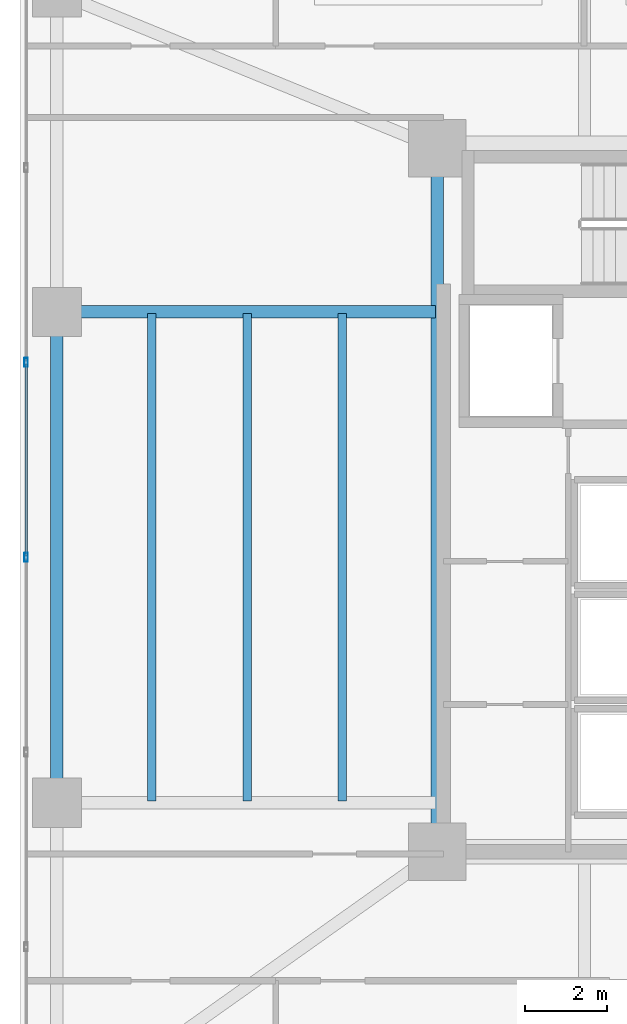
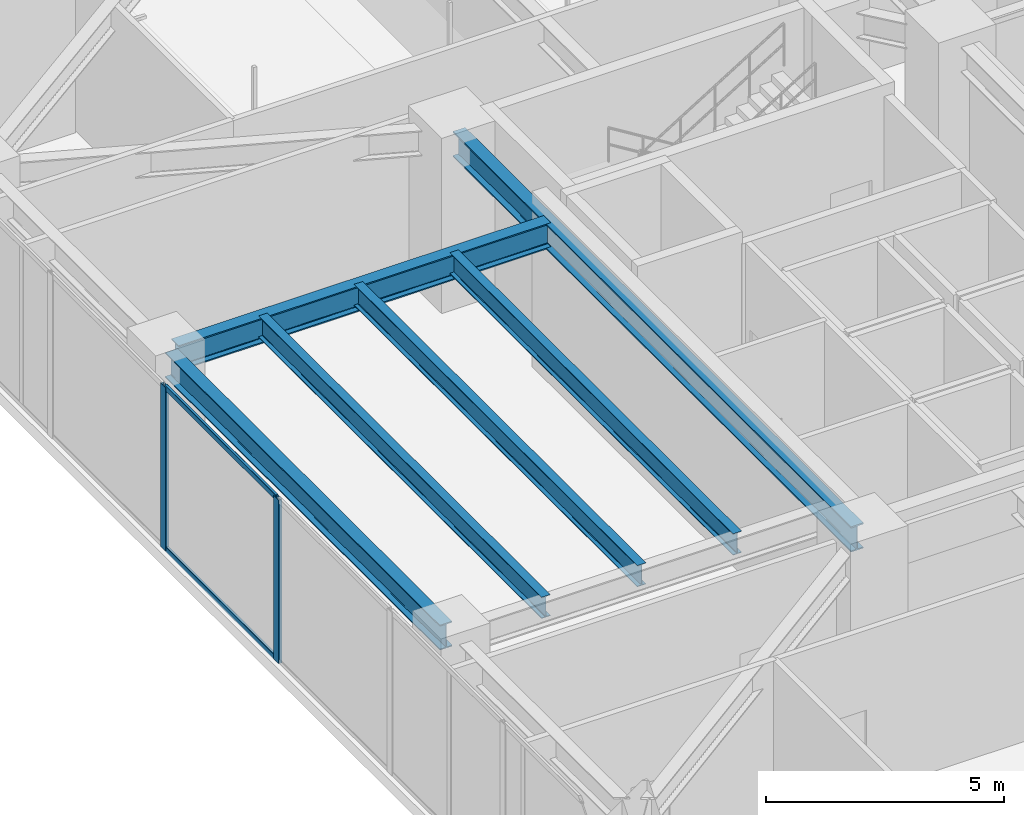
# One storey, part 7 of 39: 6 beams, 4 members, 1 element without a shape of its own.
"""IFC4 building model written with IfcOpenShell, lengths in metres."""

import ifcopenshell
import ifcopenshell.guid

model = None  # the IFC model being written
_history = None  # IfcOwnerHistory: only IFC2X3 demands one
_inside = {}  # id of a spatial element -> (the spatial element, [elements in it])
_under = {}  # id of a project, library or spatial element -> (it, [spatial elements below it])
_declared = {}  # id of a project -> (the project, [libraries it declares])
_typed = {}  # id of a type object -> (the type object, [elements of that type])
_made_of = {}  # id of a material, layer set ... -> (it, [elements and type objects made of it])


def new_model(schema):
    """Start an empty IFC model of exactly this schema.

    Asked for "IFC4X3", IfcOpenShell would pick the latest addendum, in which some entities
    have other attributes; the version numbers below select the first issue.
    IFC2X3 requires an IfcOwnerHistory on every rooted entity: one is made here for all.
    """
    global model, _history
    if schema == "IFC4X3":
        model = ifcopenshell.file(schema_version=(4, 3, 0, 0))
    else:
        model = ifcopenshell.file(schema=schema)
    _inside.clear()
    _under.clear()
    _declared.clear()
    _typed.clear()
    _made_of.clear()
    _history = None
    if model.schema == "IFC2X3":
        org = make("IfcOrganization", Name="unknown")
        user = make(
            "IfcPersonAndOrganization",
            ThePerson=make("IfcPerson", FamilyName="unknown"),
            TheOrganization=org,
        )
        app = make(
            "IfcApplication",
            ApplicationDeveloper=org,
            Version="unknown",
            ApplicationFullName="unknown",
            ApplicationIdentifier="unknown",
        )
        _history = make(
            "IfcOwnerHistory",
            OwningUser=user,
            OwningApplication=app,
            ChangeAction="ADDED",
            CreationDate=0,
        )
    return model


def make(cls, **values):
    """One entity of the class cls with the attributes given. An attribute that is None is left unset."""
    return model.create_entity(
        cls, **{name: value for name, value in values.items() if value is not None}
    )


def rooted(cls, **values):
    """An entity with a GlobalId (a new one), such as an element, a storey or a relation."""
    return make(cls, GlobalId=ifcopenshell.guid.new(), OwnerHistory=_history, **values)


def si_unit(unit_type, name, prefix=None):
    """IfcSIUnit, for example si_unit("LENGTHUNIT", "METRE", prefix="MILLI")."""
    return make("IfcSIUnit", UnitType=unit_type, Prefix=prefix, Name=name)


def assignment(units):
    """IfcUnitAssignment: the units of a project."""
    return None if units is None else make("IfcUnitAssignment", Units=units)


def point(xyz):
    """IfcCartesianPoint."""
    return None if xyz is None else make("IfcCartesianPoint", Coordinates=xyz)


def direction(xyz):
    """IfcDirection."""
    return None if xyz is None else make("IfcDirection", DirectionRatios=xyz)


def frame(location, z_axis=None, x_axis=None):
    """IfcAxis2Placement3D, a coordinate frame: its origin and axes. An axis left out is left unset."""
    return make(
        "IfcAxis2Placement3D",
        Location=point(location),
        Axis=direction(z_axis),
        RefDirection=direction(x_axis),
    )


def frame_2d(location, x_axis=None):
    """IfcAxis2Placement2D, a coordinate frame in the plane: its origin and x axis."""
    return make(
        "IfcAxis2Placement2D", Location=point(location), RefDirection=direction(x_axis)
    )


def origin():
    """The frame at (0, 0, 0) with its axes left unset."""
    return frame((0.0, 0.0, 0.0))


def origin_2d():
    """The frame at (0, 0) in the plane with its x axis left unset."""
    return frame_2d((0.0, 0.0))


def place(relative_to, where):
    """IfcLocalPlacement: puts the frame where relative to a parent placement (None: the world)."""
    return make(
        "IfcLocalPlacement", PlacementRelTo=relative_to, RelativePlacement=where
    )


def context(
    kind, dimensions, precision=None, world=None, true_north=None, identifier=None
):
    """IfcGeometricRepresentationContext, for example the 3D "Model" context."""
    return make(
        "IfcGeometricRepresentationContext",
        ContextIdentifier=identifier,
        ContextType=kind,
        CoordinateSpaceDimension=dimensions,
        Precision=precision,
        WorldCoordinateSystem=world,
        TrueNorth=true_north,
    )


def subcontext(parent, identifier, kind, view, scale=None):
    """IfcGeometricRepresentationSubContext, for example "Body" below "Model"."""
    return make(
        "IfcGeometricRepresentationSubContext",
        ContextIdentifier=identifier,
        ContextType=kind,
        ParentContext=parent,
        TargetScale=scale,
        TargetView=view,
    )


def project(units=None, contexts=None):
    """IfcProject with its units and contexts."""
    return rooted(
        "IfcProject",
        Name="project",
        RepresentationContexts=contexts,
        UnitsInContext=assignment(units),
    )


def spatial(cls, under=None, at=None, **own):
    """A site, building, storey or space (cls), placed at a placement, below another one or the project."""
    s = rooted(cls, ObjectPlacement=at, **own)
    if under is not None:
        _under.setdefault(under.id(), (under, []))[1].append(s)
    return s


def profile(cls, at=None, kind="AREA", **sizes):
    """A parametric profile (cls). Its sizes go by their IFC names, for example OverallWidth=200.0."""
    return make(cls, ProfileType=kind, Position=at, **sizes)


def hollow_rectangle(**sizes):
    """IfcRectangleHollowProfileDef."""
    return profile("IfcRectangleHollowProfileDef", **sizes)


def i_section(**sizes):
    """IfcIShapeProfileDef."""
    return profile("IfcIShapeProfileDef", **sizes)


def extrude(swept, where, along, depth):
    """IfcExtrudedAreaSolid: the profile swept, set in the frame where, extruded along a direction by depth."""
    return make(
        "IfcExtrudedAreaSolid",
        SweptArea=swept,
        Position=where,
        ExtrudedDirection=direction(along),
        Depth=depth,
    )


def shape(context_of_items, identifier, shape_type, items):
    """IfcShapeRepresentation: the items that make up one representation, for example the "Body"."""
    return make(
        "IfcShapeRepresentation",
        ContextOfItems=context_of_items,
        RepresentationIdentifier=identifier,
        RepresentationType=shape_type,
        Items=items,
    )


def material(Name=None, Category=None):
    """IfcMaterial."""
    return make("IfcMaterial", Name=Name, Category=Category)


def layer(
    of_material, thickness, ventilated=None, Name=None, Category=None, Priority=None
):
    """IfcMaterialLayer: one layer of a wall or slab, of a material (None: an air gap)."""
    return make(
        "IfcMaterialLayer",
        Material=of_material,
        LayerThickness=thickness,
        IsVentilated=ventilated,
        Name=Name,
        Category=Category,
        Priority=Priority,
    )


def layer_set(layers, Name=None):
    """IfcMaterialLayerSet."""
    return make("IfcMaterialLayerSet", MaterialLayers=layers, LayerSetName=Name)


def material_profile(
    of_material, cross_section, Name=None, Category=None, Priority=None
):
    """IfcMaterialProfile: a cross section and its material."""
    return make(
        "IfcMaterialProfile",
        Name=Name,
        Material=of_material,
        Profile=cross_section,
        Priority=Priority,
        Category=Category,
    )


def profile_set(profiles, Name=None, composite=None):
    """IfcMaterialProfileSet."""
    return make(
        "IfcMaterialProfileSet",
        Name=Name,
        MaterialProfiles=profiles,
        CompositeProfile=composite,
    )


def made_of(thing, what):
    """Note that an element or type object is made of a material, layer set ...; save() writes the relation."""
    if what is not None:
        _made_of.setdefault(what.id(), (what, []))[1].append(thing)
    return thing


def type_object(cls, material=None, **own):
    """A type object (cls), such as IfcWallType, which elements share."""
    return made_of(rooted(cls, **own), material)


def element(
    cls,
    number,
    at=None,
    inside=None,
    cuts=None,
    type_object=None,
    material=None,
    context=None,
    identifier="Body",
    shape_type=None,
    held_by="IfcProductDefinitionShape",
    body=None,
    shapes=None,
    **own,
):
    """One element of the class cls, such as IfcWall. Its Tag is "e" and its number.

    at: its placement. inside: the storey or other place that contains it. cuts: it is an
    opening in that element (IfcRelVoidsElement). A single representation is given by context,
    identifier, shape_type and body (its items); several are given by shapes. held_by: the class
    of the entity that holds the representations. save() writes the other relations.
    """
    e = rooted(cls, Tag="e%d" % number, ObjectPlacement=at, **own)
    if body is not None:
        shapes = [shape(context, identifier, shape_type, body)]
    if shapes is not None:
        e.Representation = make(held_by, Representations=shapes)
    if inside is not None:
        _inside.setdefault(inside.id(), (inside, []))[1].append(e)
    if cuts is not None:
        rooted(
            "IfcRelVoidsElement", RelatingBuildingElement=cuts, RelatedOpeningElement=e
        )
    if type_object is not None:
        _typed.setdefault(type_object.id(), (type_object, []))[1].append(e)
    return made_of(e, material)


def aggregate(whole, parts):
    """IfcRelAggregates: a whole, such as a stair, and the parts it consists of."""
    return rooted("IfcRelAggregates", RelatingObject=whole, RelatedObjects=parts)


def save(model, path):
    """Write the relations noted so far, then the file.

    IfcRelAggregates (storeys below a building ...), IfcRelContainedInSpatialStructure (elements
    in a storey), IfcRelDefinesByType, IfcRelAssociatesMaterial and IfcRelDeclares: one each for
    every whole, place, type object, material and project.
    """
    for whole, parts in _under.values():
        aggregate(whole, parts)
    for where, things in _inside.values():
        rooted(
            "IfcRelContainedInSpatialStructure",
            RelatedElements=things,
            RelatingStructure=where,
        )
    for kind, things in _typed.values():
        rooted("IfcRelDefinesByType", RelatedObjects=things, RelatingType=kind)
    for what, things in _made_of.values():
        rooted("IfcRelAssociatesMaterial", RelatedObjects=things, RelatingMaterial=what)
    for by, libraries in _declared.values():
        rooted("IfcRelDeclares", RelatingContext=by, RelatedDefinitions=libraries)
    model.write(path)


model = new_model("IFC4")

# Units and contexts
model_context = context("Model", 3, precision=1e-05, world=origin(), true_north=direction((0.0, 1.0)))
body_context = subcontext(model_context, "Body", "Model", "MODEL_VIEW")
ifc_project = project(units=[si_unit("LENGTHUNIT", "METRE"), si_unit("AREAUNIT", "SQUARE_METRE"), si_unit("VOLUMEUNIT", "CUBIC_METRE"), si_unit("PLANEANGLEUNIT", "RADIAN"), si_unit("MASSUNIT", "GRAM", prefix="KILO")], contexts=[model_context])

# Site, building, storey
site_placement = place(None, origin())
site = spatial("IfcSite", under=ifc_project, at=site_placement, CompositionType="ELEMENT")
building_placement = place(site_placement, origin())
building = spatial("IfcBuilding", under=site, at=building_placement, Name="Tarnavaz Court Tower", CompositionType="ELEMENT")
storey_placement = place(building_placement, frame((0.0, 0.0, 68.699951171875)))
storey = spatial("IfcBuildingStorey", under=building, at=storey_placement, Name="L18", CompositionType="ELEMENT", Elevation=68.699951171875)

# Beams
ifc_material_1 = material(Name="Steel S355", Category="steel")
ifc_material_profile_1 = material_profile(ifc_material_1, i_section(OverallWidth=0.300048828125, OverallDepth=0.64990234375, WebThickness=0.01611328125, FlangeThickness=0.031005859375, FilletRadius=0.027099609375, at=origin_2d()), Name="HEB 650")
ifc_profile_set_1 = profile_set([ifc_material_profile_1], Name="Steel S355")
beam_type_1 = type_object("IfcBeamType", Name="BM-G-HEB650", PredefinedType="USERDEFINED", material=ifc_profile_set_1)
beam_1_placement = place(storey_placement, frame((-18.60009765625, -6.97998046875, 3.875), z_axis=(0.0, 1.0, 0.0), x_axis=(-1.0, 0.0, 0.0)))
element("IfcBeam", 1, at=beam_1_placement, inside=storey, type_object=beam_type_1, Name="L18 Beam IN-CW-SO-CW-NO", ObjectType="GIRDER", PredefinedType="USERDEFINED", context=body_context, shape_type="SweptSolid", body=[
    extrude(i_section(OverallWidth=0.300048828125, OverallDepth=0.64990234375, WebThickness=0.01611328125, FlangeThickness=0.031005859375, FilletRadius=0.027099609375, at=origin_2d()), origin(), (0.0, 0.0, 1.0), 16.760009765625),
])
beam_2_placement = place(storey_placement, frame((-18.639892578125, 6.0, 3.875), z_axis=(-1.0, 0.0, 0.0), x_axis=(0.0, -1.0, 0.0)))
element("IfcBeam", 2, at=beam_2_placement, inside=storey, type_object=beam_type_1, Name="L18 Beam RG-14", ObjectType="GIRDER", PredefinedType="USERDEFINED", context=body_context, shape_type="SweptSolid", body=[
    extrude(i_section(OverallWidth=0.300048828125, OverallDepth=0.64990234375, WebThickness=0.01611328125, FlangeThickness=0.031005859375, FilletRadius=0.027099609375, at=origin_2d()), origin(), (0.0, 0.0, 1.0), 9.0400390625),
])
ifc_material_profile_2 = material_profile(ifc_material_1, i_section(OverallWidth=0.2099609375, OverallDepth=0.550048828125, WebThickness=0.010986328125, FlangeThickness=0.01708984375, FilletRadius=0.02392578125, at=origin_2d()), Name="IPE 550")
ifc_profile_set_2 = profile_set([ifc_material_profile_2], Name="Steel S355")
beam_type_2 = type_object("IfcBeamType", Name="BM-J-IPE550", PredefinedType="JOIST", material=ifc_profile_set_2)
for number, where, z_axis, x_axis, name in (
    (3, (-20.925048828125, -5.9599609375, 3.925048828125), (0.0, 1.0, 0.0), (-1.0, 0.0, 0.0), "L18 Beam JW1"),
    (4, (-23.25, -5.9599609375, 3.925048828125), (0.0, 1.0, 0.0), (-1.0, 0.0, 0.0), "L18 Beam JW2"),
    (5, (-25.574951171875, -5.9599609375, 3.925048828125), (0.0, 1.0, 0.0), (-1.0, 0.0, 0.0), "L18 Beam JW3"),
):
    element("IfcBeam", number, at=place(storey_placement, frame(where, z_axis=z_axis, x_axis=x_axis)), inside=storey, type_object=beam_type_2, Name=name, PredefinedType="JOIST", context=body_context, shape_type="SweptSolid", body=[
        extrude(i_section(OverallWidth=0.2099609375, OverallDepth=0.550048828125, WebThickness=0.010986328125, FlangeThickness=0.01708984375, FilletRadius=0.02392578125, at=origin_2d()), origin(), (0.0, 0.0, 1.0), 11.919921875),
    ])
ifc_material_profile_3 = material_profile(ifc_material_1, i_section(OverallWidth=0.300048828125, OverallDepth=0.639892578125, WebThickness=0.013427734375, FlangeThickness=0.02587890625, FilletRadius=0.027099609375, at=origin_2d()), Name="HEA 650")
ifc_profile_set_3 = profile_set([ifc_material_profile_3], Name="Steel S355")
beam_type_3 = type_object("IfcBeamType", Name="BM-SP-HEA650", PredefinedType="SPANDREL", material=ifc_profile_set_3)
beam_3_placement = place(storey_placement, frame((-27.89990234375, -5.780029296875, 3.880126953125), z_axis=(0.0, 1.0, 0.0), x_axis=(-1.0, 0.0, 0.0)))
element("IfcBeam", 6, at=beam_3_placement, inside=storey, type_object=beam_type_3, Name="L18 Beam PR-PW-2-PW-3", PredefinedType="SPANDREL", context=body_context, shape_type="SweptSolid", body=[
    extrude(i_section(OverallWidth=0.300048828125, OverallDepth=0.639892578125, WebThickness=0.013427734375, FlangeThickness=0.02587890625, FilletRadius=0.027099609375, at=origin_2d()), origin(), (0.0, 0.0, 1.0), 11.56005859375),
])

# Curtain wall, members
ifc_material_2 = material(Name="Anodised Aluminium 6063-T6 and Solar Low-E Glazing", Category="aluminium")
ifc_layer = layer(ifc_material_2, 0.199951171875)
ifc_layer_set = layer_set([ifc_layer], Name="Anodised Aluminium 6063-T6 and Solar Low-E Glazing")
curtain_wall_type = type_object("IfcCurtainWallType", Name="CW-SYS-05", PredefinedType="NOTDEFINED", material=ifc_layer_set)
curtain_wall_placement = place(storey_placement, origin())
curtain_wall = element("IfcCurtainWall", 7, at=curtain_wall_placement, inside=storey, type_object=curtain_wall_type, Name="L18 Sky-Portal Curtain Wall 2", PredefinedType="NOTDEFINED")
ifc_material_3 = material(Name="Anodised Aluminium 6063-T6", Category="aluminium")
ifc_material_profile_4 = material_profile(ifc_material_3, hollow_rectangle(XDim=0.0849609375, YDim=0.219970703125, WallThickness=0.006103515625, InnerFilletRadius=0.006103515625, OuterFilletRadius=0.011962890625, at=origin_2d()), Name="ALU RHS 220X85X6")
ifc_profile_set_4 = profile_set([ifc_material_profile_4], Name="Anodised Aluminium 6063-T6")
member_type_1 = type_object("IfcMemberType", Name="CW-MUL-220", PredefinedType="MULLION", material=ifc_profile_set_4)
member_1_placement = place(storey_placement, frame((-28.64990234375, 0.0, 0.0), z_axis=(0.0, 0.0, 1.0), x_axis=(-1.0, 0.0, 0.0)))
member_1 = element("IfcMember", 8, at=member_1_placement, type_object=member_type_1, Name="CW mullion 5", PredefinedType="MULLION", context=body_context, shape_type="SweptSolid", body=[
    extrude(hollow_rectangle(XDim=0.0849609375, YDim=0.219970703125, WallThickness=0.006103515625, InnerFilletRadius=0.006103515625, OuterFilletRadius=0.011962890625, at=origin_2d()), origin(), (0.0, 0.0, 1.0), 4.199951171875),
])
member_2_placement = place(storey_placement, frame((-28.64990234375, 4.762451171875, 0.0), z_axis=(0.0, 0.0, 1.0), x_axis=(-1.0, 0.0, 0.0)))
member_2 = element("IfcMember", 9, at=member_2_placement, type_object=member_type_1, Name="CW mullion 6", PredefinedType="MULLION", context=body_context, shape_type="SweptSolid", body=[
    extrude(hollow_rectangle(XDim=0.0849609375, YDim=0.219970703125, WallThickness=0.006103515625, InnerFilletRadius=0.006103515625, OuterFilletRadius=0.011962890625, at=origin_2d()), origin(), (0.0, 0.0, 1.0), 4.199951171875),
])
ifc_material_profile_5 = material_profile(ifc_material_3, hollow_rectangle(XDim=0.06494140625, YDim=0.139892578125, WallThickness=0.00390625, InnerFilletRadius=0.00390625, OuterFilletRadius=0.008056640625, at=origin_2d()), Name="ALU RHS 140X65X4")
ifc_profile_set_5 = profile_set([ifc_material_profile_5], Name="Anodised Aluminium 6063-T6")
member_type_2 = type_object("IfcMemberType", Name="CW-TRN-140", PredefinedType="USERDEFINED", material=ifc_profile_set_5)
member_3_placement = place(storey_placement, frame((-28.64990234375, 0.04248046875, 0.032470703125), z_axis=(0.0, 1.0, 0.0), x_axis=(-1.0, 0.0, 0.0)))
member_3 = element("IfcMember", 10, at=member_3_placement, type_object=member_type_2, Name="CW transom 5.1", ObjectType="TRANSOM", PredefinedType="USERDEFINED", context=body_context, shape_type="SweptSolid", body=[
    extrude(hollow_rectangle(XDim=0.06494140625, YDim=0.139892578125, WallThickness=0.00390625, InnerFilletRadius=0.00390625, OuterFilletRadius=0.008056640625, at=origin_2d()), origin(), (0.0, 0.0, 1.0), 4.677490234375),
])
member_4_placement = place(storey_placement, frame((-28.64990234375, 0.04248046875, 4.16748046875), z_axis=(0.0, 1.0, 0.0), x_axis=(-1.0, 0.0, 0.0)))
member_4 = element("IfcMember", 11, at=member_4_placement, type_object=member_type_2, Name="CW transom 5.2", ObjectType="TRANSOM", PredefinedType="USERDEFINED", context=body_context, shape_type="SweptSolid", body=[
    extrude(hollow_rectangle(XDim=0.06494140625, YDim=0.139892578125, WallThickness=0.00390625, InnerFilletRadius=0.00390625, OuterFilletRadius=0.008056640625, at=origin_2d()), origin(), (0.0, 0.0, 1.0), 4.677490234375),
])
aggregate(curtain_wall, [member_1, member_2, member_3, member_4])

save(model, "model.ifc")
